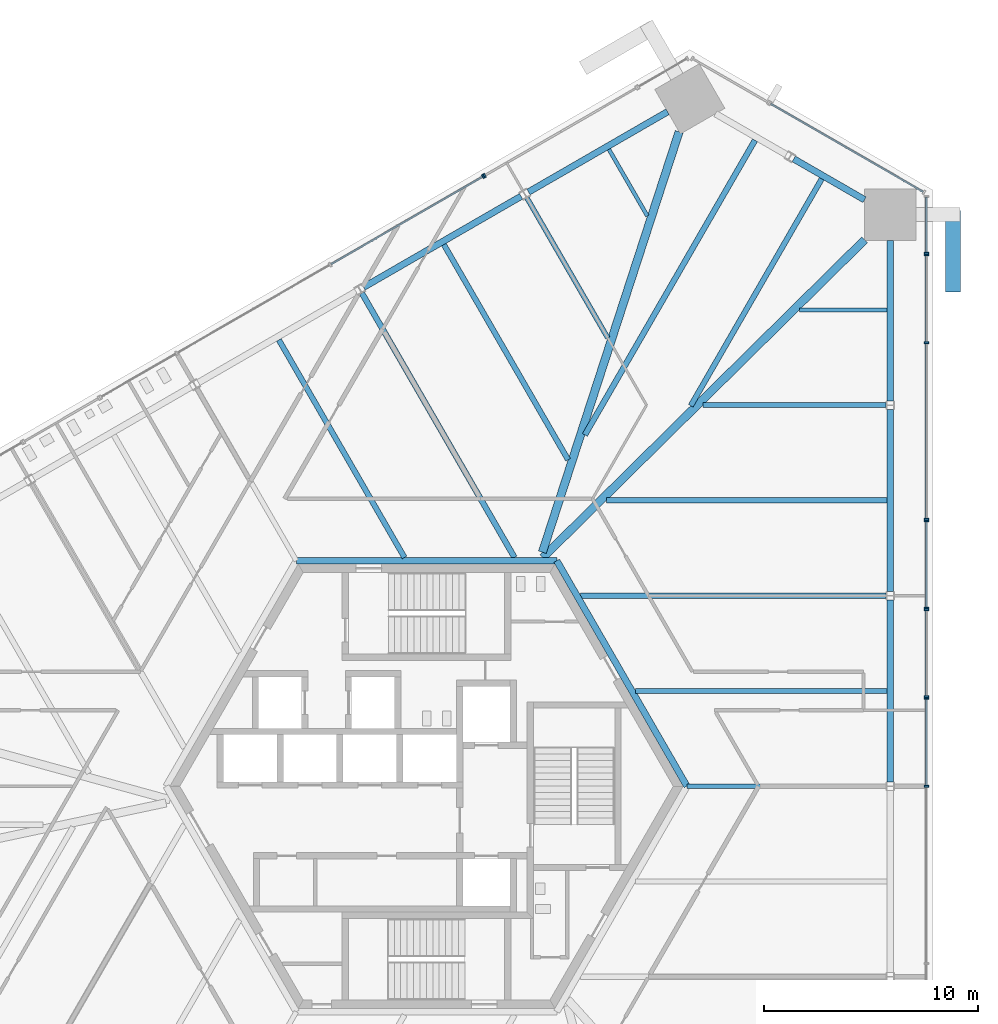
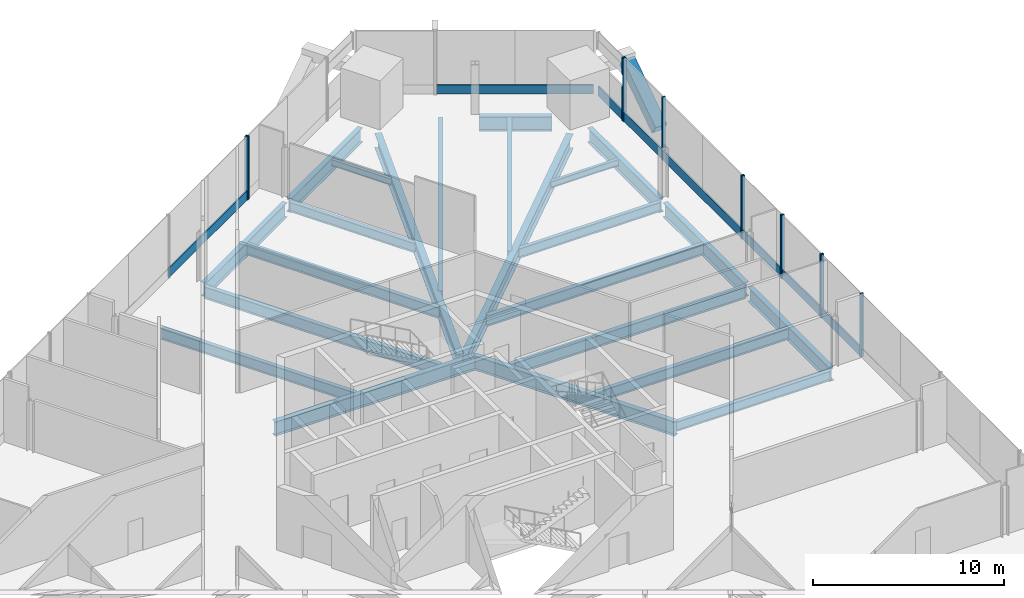
# One storey, part 7 of 22: 23 beams, 22 members, 9 elements without a shape of their own.
"""IFC4 building model written with IfcOpenShell, lengths in metres."""

from ifc_helpers import new_model, si_unit, direction, frame, origin, origin_2d, place, context, subcontext, project, spatial, rectangle, hollow_rectangle, i_section, extrude, source, transform, mapped, material, material_profile, profile_set, type_object, element, aggregate, save


model = new_model("IFC4")

# Units and contexts
model_context = context("Model", 3, precision=1e-05, world=origin(), true_north=direction((0.0, 1.0)))
body_context = subcontext(model_context, "Body", "Model", "MODEL_VIEW")
ifc_project = project(units=[si_unit("LENGTHUNIT", "METRE"), si_unit("AREAUNIT", "SQUARE_METRE"), si_unit("VOLUMEUNIT", "CUBIC_METRE"), si_unit("PLANEANGLEUNIT", "RADIAN"), si_unit("MASSUNIT", "GRAM", prefix="KILO")], contexts=[model_context])

# Site, building, storey
site_placement = place(None, origin())
site = spatial("IfcSite", under=ifc_project, at=site_placement, CompositionType="ELEMENT")
building_placement = place(site_placement, origin())
building = spatial("IfcBuilding", under=site, at=building_placement, Name="Triune Harvest Tower", CompositionType="ELEMENT")
storey_placement = place(building_placement, frame((0.0, 0.0, 50.39990234375)))
storey = spatial("IfcBuildingStorey", under=building, at=storey_placement, Name="L11", CompositionType="ELEMENT", Elevation=50.39990234375)

# Beams
ifc_material_1 = material(Name="Steel ASTM A992 Gr 50", Category="steel")
ifc_material_profile_1 = material_profile(ifc_material_1, i_section(OverallWidth=0.3046875, OverallDepth=0.914306640625, WebThickness=0.0166015625, FlangeThickness=0.02587890625, at=origin_2d()), Name="W36x160")
ifc_profile_set_1 = profile_set([ifc_material_profile_1], Name="Steel ASTM A992 Gr 50")
beam_type_1 = type_object("IfcBeamType", Name="CG-1 Core ring girder W36x160", PredefinedType="BEAM", material=ifc_profile_set_1)
shared_shape_1 = source(origin(), body_context, "Body", "SweptSolid", [
    extrude(i_section(OverallWidth=0.3046875, OverallDepth=0.914306640625, WebThickness=0.0166015625, FlangeThickness=0.02587890625, at=origin_2d()), origin(), (0.0, 0.0, 1.0), 12.176025390625),
])
beam_1_placement = place(storey_placement, frame((12.176025390625, 0.0, -0.656982421875), z_axis=(-0.5000099932, 0.866019634131, 0.0), x_axis=(-0.866019634131, -0.5000099932, 0.0)))
element("IfcBeam", 1, at=beam_1_placement, inside=storey, type_object=beam_type_1, Name="beam/L11/CG1", PredefinedType="BEAM", context=body_context, shape_type="MappedRepresentation", body=[
    mapped(shared_shape_1, transform((0.0, 0.0, 0.0), scale=1.0)),
])
shared_shape_2 = source(origin(), body_context, "Body", "SweptSolid", [
    extrude(i_section(OverallWidth=0.3046875, OverallDepth=0.914306640625, WebThickness=0.0166015625, FlangeThickness=0.02587890625, at=origin_2d()), origin(), (0.0, 0.0, 1.0), 12.17578125),
])
beam_2_placement = place(storey_placement, frame((6.087890625, 10.544677734375, -0.656982421875), z_axis=(-1.0, 0.0, 0.0), x_axis=(0.0, -1.0, 0.0)))
element("IfcBeam", 2, at=beam_2_placement, inside=storey, type_object=beam_type_1, Name="beam/L11/CG2", PredefinedType="BEAM", context=body_context, shape_type="MappedRepresentation", body=[
    mapped(shared_shape_2, transform((0.0, 0.0, 0.0), scale=1.0)),
])
ifc_material_2 = material(Name="Steel ASTM A992 Gr 50", Category="steel")
ifc_material_profile_2 = material_profile(ifc_material_2, i_section(OverallWidth=0.383544921875, OverallDepth=0.9423828125, WebThickness=0.022216796875, FlangeThickness=0.039794921875, at=origin_2d()), Name="W36x232")
ifc_profile_set_2 = profile_set([ifc_material_profile_2], Name="Steel ASTM A992 Gr 50")
beam_type_2 = type_object("IfcBeamType", Name="HG-1 Hip girder W36x232", PredefinedType="BEAM", material=ifc_profile_set_2)
shared_shape_3 = source(origin(), body_context, "Body", "SweptSolid", [
    extrude(i_section(OverallWidth=0.383544921875, OverallDepth=0.9423828125, WebThickness=0.022216796875, FlangeThickness=0.039794921875, at=origin_2d()), origin(), (0.0, 0.0, 1.0), 21.132568359375),
])
beam_3_placement = place(storey_placement, frame((20.4794921875, 25.545166015625, -0.671142578125), z_axis=(-0.711563602244, -0.7026216905, 0.0), x_axis=(0.7026216905, -0.711563602244, 0.0)))
element("IfcBeam", 3, at=beam_3_placement, inside=storey, type_object=beam_type_2, Name="beam/L11/HG2", PredefinedType="BEAM", context=body_context, shape_type="MappedRepresentation", body=[
    mapped(shared_shape_3, transform((0.0, 0.0, 0.0), scale=1.0)),
])
shared_shape_4 = source(origin(), body_context, "Body", "SweptSolid", [
    extrude(i_section(OverallWidth=0.383544921875, OverallDepth=0.9423828125, WebThickness=0.022216796875, FlangeThickness=0.039794921875, at=origin_2d()), origin(), (0.0, 0.0, 1.0), 20.676025390625),
])
beam_4_placement = place(storey_placement, frame((11.809814453125, 30.6044921875, -0.671142578125), z_axis=(-0.309191000288, -0.950999960747, 0.0), x_axis=(0.950999960747, -0.309191000288, 0.0)))
element("IfcBeam", 4, at=beam_4_placement, inside=storey, type_object=beam_type_2, Name="beam/L11/HG3", PredefinedType="BEAM", context=body_context, shape_type="MappedRepresentation", body=[
    mapped(shared_shape_4, transform((0.0, 0.0, 0.0), scale=1.0)),
])
ifc_material_3 = material(Name="Steel ASTM A992 Gr 50", Category="steel")
ifc_material_profile_3 = material_profile(ifc_material_3, i_section(OverallWidth=0.2666015625, OverallDepth=0.7568359375, WebThickness=0.013916015625, FlangeThickness=0.019287109375, at=origin_2d()), Name="W30x108")
ifc_profile_set_3 = profile_set([ifc_material_profile_3], Name="Steel ASTM A992 Gr 50")
beam_type_3 = type_object("IfcBeamType", Name="JT-5 Floor joist W30x108", PredefinedType="JOIST", material=ifc_profile_set_3)
shared_shape_5 = source(origin(), body_context, "Body", "SweptSolid", [
    extrude(i_section(OverallWidth=0.2666015625, OverallDepth=0.7568359375, WebThickness=0.013916015625, FlangeThickness=0.019287109375, at=origin_2d()), origin(), (0.0, 0.0, 1.0), 14.2685546875),
])
for number, where, z_axis, x_axis, name in (
    (5, (21.476318359375, 8.909912109375, -0.578369140625), (-1.0, 0.0, 0.0), (0.0, -1.0, 0.0), "beam/L11/JT8"),
    (6, (-3.02197265625, 23.053955078125, -0.578369140625), (0.499999916269, -0.866025452127, 0.0), (0.866025452127, 0.499999916269, 0.0), "beam/L11/JT17"),
):
    element("IfcBeam", number, at=place(storey_placement, frame(where, z_axis=z_axis, x_axis=x_axis)), inside=storey, type_object=beam_type_3, Name=name, PredefinedType="JOIST", context=body_context, shape_type="MappedRepresentation", body=[
        mapped(shared_shape_5, transform((0.0, 0.0, 0.0), scale=1.0)),
    ])
ifc_material_4 = material(Name="Steel ASTM A992 Gr 50", Category="steel")
ifc_material_profile_4 = material_profile(ifc_material_4, i_section(OverallWidth=0.22900390625, OverallDepth=0.612060546875, WebThickness=0.011962890625, FlangeThickness=0.01953125, at=origin_2d()), Name="W24x84")
ifc_profile_set_4 = profile_set([ifc_material_profile_4], Name="Steel ASTM A992 Gr 50")
beam_type_4 = type_object("IfcBeamType", Name="JT-3 Floor joist W24x84", PredefinedType="JOIST", material=ifc_profile_set_4)
shared_shape_6 = source(origin(), body_context, "Body", "SweptSolid", [
    extrude(i_section(OverallWidth=0.22900390625, OverallDepth=0.612060546875, WebThickness=0.011962890625, FlangeThickness=0.01953125, at=origin_2d()), origin(), (0.0, 0.0, 1.0), 9.30029296875),
])
beam_5_placement = place(storey_placement, frame((21.476318359375, 0.0, -0.506103515625), z_axis=(-1.0, 0.0, 0.0), x_axis=(0.0, -1.0, 0.0)))
element("IfcBeam", 7, at=beam_5_placement, inside=storey, type_object=beam_type_4, Name="beam/L11/JT6", PredefinedType="JOIST", context=body_context, shape_type="MappedRepresentation", body=[
    mapped(shared_shape_6, transform((0.0, 0.0, 0.0), scale=1.0)),
])
shared_shape_7 = source(origin(), body_context, "Body", "SweptSolid", [
    extrude(i_section(OverallWidth=0.22900390625, OverallDepth=0.612060546875, WebThickness=0.011962890625, FlangeThickness=0.01953125, at=origin_2d()), origin(), (0.0, 0.0, 1.0), 8.54736328125),
])
beam_6_placement = place(storey_placement, frame((21.476318359375, 17.820068359375, -0.506103515625), z_axis=(-1.0, 0.0, 0.0), x_axis=(0.0, -1.0, 0.0)))
element("IfcBeam", 8, at=beam_6_placement, inside=storey, type_object=beam_type_4, Name="beam/L11/JT10", PredefinedType="JOIST", context=body_context, shape_type="MappedRepresentation", body=[
    mapped(shared_shape_7, transform((0.0, 0.0, 0.0), scale=1.0)),
])
shared_shape_8 = source(origin(), body_context, "Body", "SweptSolid", [
    extrude(i_section(OverallWidth=0.22900390625, OverallDepth=0.612060546875, WebThickness=0.011962890625, FlangeThickness=0.01953125, at=origin_2d()), origin(), (0.0, 0.0, 1.0), 7.55859375),
])
beam_7_placement = place(storey_placement, frame((4.6943359375, 27.509033203125, -0.506103515625), z_axis=(0.500002049001, -0.86602422079, 0.0), x_axis=(0.86602422079, 0.500002049001, 0.0)))
element("IfcBeam", 9, at=beam_7_placement, inside=storey, type_object=beam_type_4, Name="beam/L11/JT15", PredefinedType="JOIST", context=body_context, shape_type="MappedRepresentation", body=[
    mapped(shared_shape_8, transform((0.0, 0.0, 0.0), scale=1.0)),
])
ifc_material_5 = material(Name="Steel ASTM A992 Gr 50", Category="steel")
ifc_material_profile_5 = material_profile(ifc_material_5, i_section(OverallWidth=0.3046875, OverallDepth=0.914306640625, WebThickness=0.0166015625, FlangeThickness=0.02587890625, at=origin_2d()), Name="W36x160")
ifc_profile_set_5 = profile_set([ifc_material_profile_5], Name="Steel ASTM A992 Gr 50")
beam_type_5 = type_object("IfcBeamType", Name="SB-1 Spandrel beam W36x160", PredefinedType="SPANDREL", material=ifc_profile_set_5)
shared_shape_9 = source(origin(), body_context, "Body", "SweptSolid", [
    extrude(i_section(OverallWidth=0.3046875, OverallDepth=0.914306640625, WebThickness=0.0166015625, FlangeThickness=0.02587890625, at=origin_2d()), origin(), (0.0, 0.0, 1.0), 7.508056640625),
])
beam_8_placement = place(storey_placement, frame((21.679443359375, 18.02197265625, -0.656982421875), z_axis=(0.0, 1.0, 0.0), x_axis=(-1.0, 0.0, 0.0)))
element("IfcBeam", 10, at=beam_8_placement, inside=storey, type_object=beam_type_5, Name="beam/L11/SB6", PredefinedType="SPANDREL", context=body_context, shape_type="MappedRepresentation", body=[
    mapped(shared_shape_9, transform((0.0, 0.0, 0.0), scale=1.0)),
])
shared_shape_10 = source(origin(), body_context, "Body", "SweptSolid", [
    extrude(i_section(OverallWidth=0.3046875, OverallDepth=0.914306640625, WebThickness=0.0166015625, FlangeThickness=0.02587890625, at=origin_2d()), origin(), (0.0, 0.0, 1.0), 8.50634765625),
])
beam_9_placement = place(storey_placement, frame((21.679443359375, 9.11181640625, -0.656982421875), z_axis=(0.0, 1.0, 0.0), x_axis=(-1.0, 0.0, 0.0)))
element("IfcBeam", 11, at=beam_9_placement, inside=storey, type_object=beam_type_5, Name="beam/L11/SB5", PredefinedType="SPANDREL", context=body_context, shape_type="MappedRepresentation", body=[
    mapped(shared_shape_10, transform((0.0, 0.0, 0.0), scale=1.0)),
])
shared_shape_11 = source(origin(), body_context, "Body", "SweptSolid", [
    extrude(i_section(OverallWidth=0.3046875, OverallDepth=0.914306640625, WebThickness=0.0166015625, FlangeThickness=0.02587890625, at=origin_2d()), origin(), (0.0, 0.0, 1.0), 8.506103515625),
])
for number, where, z_axis, x_axis, name in (
    (12, (21.679443359375, 0.201904296875, -0.656982421875), (0.0, 1.0, 0.0), (-1.0, 0.0, 0.0), "beam/L11/SB4"),
    (13, (4.41796875, 27.583984375, -0.656982421875), (-0.866030246746, -0.49999161165, 0.0), (0.49999161165, -0.866030246746, 0.0), "beam/L11/SB10"),
):
    element("IfcBeam", number, at=place(storey_placement, frame(where, z_axis=z_axis, x_axis=x_axis)), inside=storey, type_object=beam_type_5, Name=name, PredefinedType="SPANDREL", context=body_context, shape_type="MappedRepresentation", body=[
        mapped(shared_shape_11, transform((0.0, 0.0, 0.0), scale=1.0)),
    ])
shared_shape_12 = source(origin(), body_context, "Body", "SweptSolid", [
    extrude(i_section(OverallWidth=0.3046875, OverallDepth=0.914306640625, WebThickness=0.0166015625, FlangeThickness=0.02587890625, at=origin_2d()), origin(), (0.0, 0.0, 1.0), 3.822265625),
])
beam_10_placement = place(storey_placement, frame((20.4794921875, 27.4228515625, -0.656982421875), z_axis=(-0.866033487859, 0.499985997711, 0.0), x_axis=(-0.499985997711, -0.866033487859, 0.0)))
element("IfcBeam", 14, at=beam_10_placement, inside=storey, type_object=beam_type_5, Name="beam/L11/SB7", PredefinedType="SPANDREL", context=body_context, shape_type="MappedRepresentation", body=[
    mapped(shared_shape_12, transform((0.0, 0.0, 0.0), scale=1.0)),
])
shared_shape_13 = source(origin(), body_context, "Body", "SweptSolid", [
    extrude(i_section(OverallWidth=0.3046875, OverallDepth=0.914306640625, WebThickness=0.0166015625, FlangeThickness=0.02587890625, at=origin_2d()), origin(), (0.0, 0.0, 1.0), 7.50830078125),
])
beam_11_placement = place(storey_placement, frame((11.27001953125, 31.5400390625, -0.656982421875), z_axis=(-0.866027474485, -0.499996413425, 0.0), x_axis=(0.499996413425, -0.866027474485, 0.0)))
element("IfcBeam", 15, at=beam_11_placement, inside=storey, type_object=beam_type_5, Name="beam/L11/SB9", PredefinedType="SPANDREL", context=body_context, shape_type="MappedRepresentation", body=[
    mapped(shared_shape_13, transform((0.0, 0.0, 0.0), scale=1.0)),
])
ifc_material_6 = material(Name="Steel ASTM A992 Gr 50", Category="steel")
ifc_material_profile_6 = material_profile(ifc_material_6, i_section(OverallWidth=0.180908203125, OverallDepth=0.41650390625, WebThickness=0.010986328125, FlangeThickness=0.01806640625, at=origin_2d()), Name="W16x57")
ifc_profile_set_6 = profile_set([ifc_material_profile_6], Name="Steel ASTM A992 Gr 50")
beam_type_6 = type_object("IfcBeamType", Name="JT-1 Floor joist W16x57", PredefinedType="JOIST", material=ifc_profile_set_6)
shared_shape_14 = source(origin(), body_context, "Body", "SweptSolid", [
    extrude(i_section(OverallWidth=0.180908203125, OverallDepth=0.41650390625, WebThickness=0.010986328125, FlangeThickness=0.01806640625, at=origin_2d()), origin(), (0.0, 0.0, 1.0), 3.599365234375),
])
beam_12_placement = place(storey_placement, frame((8.527099609375, 29.780517578125, -0.408203125), z_axis=(0.50001992892, -0.866013897511, 0.0), x_axis=(0.866013897511, 0.50001992892, 0.0)))
element("IfcBeam", 16, at=beam_12_placement, inside=storey, type_object=beam_type_6, Name="beam/L11/JT14", PredefinedType="JOIST", context=body_context, shape_type="MappedRepresentation", body=[
    mapped(shared_shape_14, transform((0.0, 0.0, 0.0), scale=1.0)),
])
ifc_material_7 = material(Name="Steel ASTM A992 Gr 50", Category="steel")
ifc_material_profile_7 = material_profile(ifc_material_7, i_section(OverallWidth=0.253662109375, OverallDepth=0.683349609375, WebThickness=0.012451171875, FlangeThickness=0.01904296875, at=origin_2d()), Name="W27x94")
ifc_profile_set_7 = profile_set([ifc_material_profile_7], Name="Steel ASTM A992 Gr 50")
beam_type_7 = type_object("IfcBeamType", Name="JT-4 Floor joist W27x94", PredefinedType="JOIST", material=ifc_profile_set_7)
shared_shape_15 = source(origin(), body_context, "Body", "SweptSolid", [
    extrude(i_section(OverallWidth=0.253662109375, OverallDepth=0.683349609375, WebThickness=0.012451171875, FlangeThickness=0.01904296875, at=origin_2d()), origin(), (0.0, 0.0, 1.0), 11.747314453125),
])
beam_13_placement = place(storey_placement, frame((21.527099609375, 4.455078125, -0.54150390625), z_axis=(-1.0, 0.0, 0.0), x_axis=(0.0, -1.0, 0.0)))
element("IfcBeam", 17, at=beam_13_placement, inside=storey, type_object=beam_type_7, Name="beam/L11/JT7", PredefinedType="JOIST", context=body_context, shape_type="MappedRepresentation", body=[
    mapped(shared_shape_15, transform((0.0, 0.0, 0.0), scale=1.0)),
])
shared_shape_16 = source(origin(), body_context, "Body", "SweptSolid", [
    extrude(i_section(OverallWidth=0.253662109375, OverallDepth=0.683349609375, WebThickness=0.012451171875, FlangeThickness=0.01904296875, at=origin_2d()), origin(), (0.0, 0.0, 1.0), 13.110107421875),
])
beam_14_placement = place(storey_placement, frame((21.527099609375, 13.364990234375, -0.54150390625), z_axis=(-1.0, 0.0, 0.0), x_axis=(0.0, -1.0, 0.0)))
element("IfcBeam", 18, at=beam_14_placement, inside=storey, type_object=beam_type_7, Name="beam/L11/JT9", PredefinedType="JOIST", context=body_context, shape_type="MappedRepresentation", body=[
    mapped(shared_shape_16, transform((0.0, 0.0, 0.0), scale=1.0)),
])
shared_shape_17 = source(origin(), body_context, "Body", "SweptSolid", [
    extrude(i_section(OverallWidth=0.180908203125, OverallDepth=0.41650390625, WebThickness=0.010986328125, FlangeThickness=0.01806640625, at=origin_2d()), origin(), (0.0, 0.0, 1.0), 4.08642578125),
])
beam_15_placement = place(storey_placement, frame((21.527099609375, 22.27490234375, -0.408203125), z_axis=(-1.0, 0.0, 0.0), x_axis=(0.0, -1.0, 0.0)))
element("IfcBeam", 19, at=beam_15_placement, inside=storey, type_object=beam_type_6, Name="beam/L11/JT11", PredefinedType="JOIST", context=body_context, shape_type="MappedRepresentation", body=[
    mapped(shared_shape_17, transform((0.0, 0.0, 0.0), scale=1.0)),
])
shared_shape_18 = source(origin(), body_context, "Body", "SweptSolid", [
    extrude(i_section(OverallWidth=0.253662109375, OverallDepth=0.683349609375, WebThickness=0.012451171875, FlangeThickness=0.01904296875, at=origin_2d()), origin(), (0.0, 0.0, 1.0), 12.2509765625),
])
beam_16_placement = place(storey_placement, frame((18.479736328125, 28.4013671875, -0.54150390625), z_axis=(-0.500001335473, -0.866024632748, 0.0), x_axis=(0.866024632748, -0.500001335473, 0.0)))
element("IfcBeam", 20, at=beam_16_placement, inside=storey, type_object=beam_type_7, Name="beam/L11/JT12", PredefinedType="JOIST", context=body_context, shape_type="MappedRepresentation", body=[
    mapped(shared_shape_18, transform((0.0, 0.0, 0.0), scale=1.0)),
])
shared_shape_19 = source(origin(), body_context, "Body", "SweptSolid", [
    extrude(i_section(OverallWidth=0.2666015625, OverallDepth=0.7568359375, WebThickness=0.013916015625, FlangeThickness=0.019287109375, at=origin_2d()), origin(), (0.0, 0.0, 1.0), 15.90771484375),
])
beam_17_placement = place(storey_placement, frame((15.3564453125, 30.20458984375, -0.578369140625), z_axis=(-0.500003211559, -0.866023549582, 0.0), x_axis=(0.866023549582, -0.500003211559, 0.0)))
element("IfcBeam", 21, at=beam_17_placement, inside=storey, type_object=beam_type_3, Name="beam/L11/JT13", PredefinedType="JOIST", context=body_context, shape_type="MappedRepresentation", body=[
    mapped(shared_shape_19, transform((0.0, 0.0, 0.0), scale=1.0)),
])
shared_shape_20 = source(origin(), body_context, "Body", "SweptSolid", [
    extrude(i_section(OverallWidth=0.253662109375, OverallDepth=0.683349609375, WebThickness=0.012451171875, FlangeThickness=0.01904296875, at=origin_2d()), origin(), (0.0, 0.0, 1.0), 11.618896484375),
])
beam_18_placement = place(storey_placement, frame((0.810791015625, 25.325439453125, -0.54150390625), z_axis=(0.500008015982, -0.866020775706, 0.0), x_axis=(0.866020775706, 0.500008015982, 0.0)))
element("IfcBeam", 22, at=beam_18_placement, inside=storey, type_object=beam_type_7, Name="beam/L11/JT16", PredefinedType="JOIST", context=body_context, shape_type="MappedRepresentation", body=[
    mapped(shared_shape_20, transform((0.0, 0.0, 0.0), scale=1.0)),
])
shared_shape_21 = source(origin(), body_context, "Body", "SweptSolid", [
    extrude(i_section(OverallWidth=0.253662109375, OverallDepth=0.683349609375, WebThickness=0.012451171875, FlangeThickness=0.01904296875, at=origin_2d()), origin(), (0.0, 0.0, 1.0), 11.74755859375),
])
beam_19_placement = place(storey_placement, frame((-6.905517578125, 20.87060546875, -0.54150390625), z_axis=(0.500003693016, -0.86602327161, 0.0), x_axis=(0.86602327161, 0.500003693016, 0.0)))
element("IfcBeam", 23, at=beam_19_placement, inside=storey, type_object=beam_type_7, Name="beam/L11/JT18", PredefinedType="JOIST", context=body_context, shape_type="MappedRepresentation", body=[
    mapped(shared_shape_21, transform((0.0, 0.0, 0.0), scale=1.0)),
])

# Member
ifc_material_8 = material(Name="Steel ASTM A572 Gr 50", Category="steel")
ifc_material_profile_8 = material_profile(ifc_material_8, hollow_rectangle(XDim=0.699951171875, YDim=0.699951171875, WallThickness=0.0400390625, at=origin_2d()), Name="Box 700x700x40")
ifc_profile_set_8 = profile_set([ifc_material_profile_8], Name="Steel ASTM A572 Gr 50")
member_type_1 = type_object("IfcMemberType", Name="BR-1 Brace Box 700x700x40", PredefinedType="BRACE", material=ifc_profile_set_8)
shared_shape_22 = source(origin(), body_context, "Body", "SweptSolid", [
    extrude(hollow_rectangle(XDim=0.699951171875, YDim=0.699951171875, WallThickness=0.0400390625, at=origin_2d()), origin(), (0.0, 0.0, 1.0), 4.109375),
])
member_1_placement = place(storey_placement, frame((24.621337890625, 23.3154296875, 0.0), z_axis=(0.0, 0.830924343652, 0.556385419584), x_axis=(-1.0, 0.0, 0.0)))
element("IfcMember", 24, at=member_1_placement, inside=storey, type_object=member_type_1, Name="brace/B1-F1/d1/9", PredefinedType="BRACE", context=body_context, shape_type="MappedRepresentation", body=[
    mapped(shared_shape_22, transform((0.0, 0.0, 0.0), scale=1.0)),
])

# Curtain wall, member
ifc_material_9 = material(Name="Aluminium bronze anodised", Category="aluminium")
curtain_wall_type_1 = type_object("IfcCurtainWallType", Name="CW-3 Farm floor curtain wall", PredefinedType="NOTDEFINED", material=ifc_material_9)
curtain_wall_1_placement = place(storey_placement, origin())
curtain_wall_1 = element("IfcCurtainWall", 25, at=curtain_wall_1_placement, inside=storey, type_object=curtain_wall_type_1, Name="CW-3 B1-F2 L11 run 1")
ifc_material_10 = material(Name="Aluminium bronze anodised", Category="aluminium")
ifc_material_profile_9 = material_profile(ifc_material_10, rectangle(XDim=0.090087890625, YDim=0.60009765625, at=origin_2d()), Name="TR-3 transom 90 x 600")
ifc_profile_set_9 = profile_set([ifc_material_profile_9], Name="Aluminium bronze anodised")
member_type_2 = type_object("IfcMemberType", Name="TR-3 transom 90 x 600", PredefinedType="USERDEFINED", material=ifc_profile_set_9)
shared_shape_23 = source(origin(), body_context, "Body", "SweptSolid", [
    extrude(rectangle(XDim=0.090087890625, YDim=0.60009765625, at=origin_2d()), origin(), (0.0, 0.0, 1.0), 8.23583984375),
])
member_2_placement = place(storey_placement, frame((23.22412109375, 27.791748046875, 0.300048828125), z_axis=(-0.866021691054, 0.500006430582, 0.0), x_axis=(-0.500006430582, -0.866021691054, 0.0)))
member_2 = element("IfcMember", 26, at=member_2_placement, type_object=member_type_2, Name="CW-3 transom B1-F2 1.1", ObjectType="TRANSOM", PredefinedType="USERDEFINED", context=body_context, shape_type="MappedRepresentation", body=[
    mapped(shared_shape_23, transform((0.0, 0.0, 0.0), scale=1.0)),
])
aggregate(curtain_wall_1, [member_2])

# Curtain wall, members
ifc_material_11 = material(Name="Aluminium bronze anodised", Category="aluminium")
curtain_wall_type_2 = type_object("IfcCurtainWallType", Name="CW-8 Farm floor curtain wall with insulated spandrel infill", PredefinedType="NOTDEFINED", material=ifc_material_11)
curtain_wall_2_placement = place(storey_placement, origin())
curtain_wall_2 = element("IfcCurtainWall", 27, at=curtain_wall_2_placement, inside=storey, type_object=curtain_wall_type_2, Name="CW-8 B1-F1 L11 run 301")
ifc_material_12 = material(Name="Aluminium bronze anodised", Category="aluminium")
ifc_material_profile_10 = material_profile(ifc_material_12, rectangle(XDim=0.199951171875, YDim=0.080078125, at=origin_2d()), Name="MU-3 mullion 80 x 200")
ifc_profile_set_10 = profile_set([ifc_material_profile_10], Name="Aluminium bronze anodised")
member_type_3 = type_object("IfcMemberType", Name="MU-3 mullion 80 x 200", PredefinedType="MULLION", material=ifc_profile_set_10)
shared_shape_24 = source(origin(), body_context, "Body", "SweptSolid", [
    extrude(rectangle(XDim=0.199951171875, YDim=0.080078125, at=origin_2d()), origin(), (0.0, 0.0, 1.0), 2.1650390625),
])
member_3_placement = place(storey_placement, frame((23.371337890625, 24.92138671875, 0.0), z_axis=(0.0, 0.0, 1.0), x_axis=(-1.0, 0.0, 0.0)))
member_3 = element("IfcMember", 28, at=member_3_placement, type_object=member_type_3, Name="CW-8 mullion B1-F1 301.1", PredefinedType="MULLION", context=body_context, shape_type="MappedRepresentation", body=[
    mapped(shared_shape_24, transform((0.0, 0.0, 0.0), scale=1.0)),
])
shared_shape_25 = source(origin(), body_context, "Body", "SweptSolid", [
    extrude(rectangle(XDim=0.090087890625, YDim=0.60009765625, at=origin_2d()), origin(), (0.0, 0.0, 1.0), 2.575439453125),
])
member_4_placement = place(storey_placement, frame((23.371337890625, 24.96142578125, 0.300048828125), z_axis=(0.0, 1.0, 0.0), x_axis=(-1.0, 0.0, 0.0)))
member_4 = element("IfcMember", 29, at=member_4_placement, type_object=member_type_2, Name="CW-8 transom B1-F1 301.1", ObjectType="TRANSOM", PredefinedType="USERDEFINED", context=body_context, shape_type="MappedRepresentation", body=[
    mapped(shared_shape_25, transform((0.0, 0.0, 0.0), scale=1.0)),
])
aggregate(curtain_wall_2, [member_3, member_4])

# Curtain wall, member
curtain_wall_3_placement = place(storey_placement, origin())
curtain_wall_3 = element("IfcCurtainWall", 30, at=curtain_wall_3_placement, inside=storey, type_object=curtain_wall_type_1, Name="CW-3 B1-F1 L11 run 401")
shared_shape_26 = source(origin(), body_context, "Body", "SweptSolid", [
    extrude(rectangle(XDim=0.199951171875, YDim=0.080078125, at=origin_2d()), origin(), (0.0, 0.0, 1.0), 1.114990234375),
])
member_5_placement = place(storey_placement, frame((23.371337890625, 24.92138671875, 2.93505859375), z_axis=(0.0, 0.0, 1.0), x_axis=(-1.0, 0.0, 0.0)))
member_5 = element("IfcMember", 31, at=member_5_placement, type_object=member_type_3, Name="CW-3 mullion B1-F1 401.1", PredefinedType="MULLION", context=body_context, shape_type="MappedRepresentation", body=[
    mapped(shared_shape_26, transform((0.0, 0.0, 0.0), scale=1.0)),
])
aggregate(curtain_wall_3, [member_5])

# Curtain wall, members
curtain_wall_4_placement = place(storey_placement, origin())
curtain_wall_4 = element("IfcCurtainWall", 32, at=curtain_wall_4_placement, inside=storey, type_object=curtain_wall_type_1, Name="CW-3 B1-F1 L11 run 1201")
shared_shape_27 = source(origin(), body_context, "Body", "SweptSolid", [
    extrude(rectangle(XDim=0.199951171875, YDim=0.080078125, at=origin_2d()), origin(), (0.0, 0.0, 1.0), 4.050048828125),
])
member_6_placement = place(storey_placement, frame((23.371337890625, 0.0, 0.0), z_axis=(0.0, 0.0, 1.0), x_axis=(-1.0, 0.0, 0.0)))
member_6 = element("IfcMember", 33, at=member_6_placement, type_object=member_type_3, Name="CW-3 mullion B1-F1 1201.5", PredefinedType="MULLION", context=body_context, shape_type="MappedRepresentation", body=[
    mapped(shared_shape_27, transform((0.0, 0.0, 0.0), scale=1.0)),
])
member_7_placement = place(storey_placement, frame((23.371337890625, 4.10693359375, 0.0), z_axis=(0.0, 0.0, 1.0), x_axis=(-1.0, 0.0, 0.0)))
member_7 = element("IfcMember", 34, at=member_7_placement, type_object=member_type_3, Name="CW-3 mullion B1-F1 1201.6", PredefinedType="MULLION", context=body_context, shape_type="MappedRepresentation", body=[
    mapped(shared_shape_27, transform((0.0, 0.0, 0.0), scale=1.0)),
])

curtain_wall_5_placement = place(storey_placement, origin())
curtain_wall_5 = element("IfcCurtainWall", 35, at=curtain_wall_5_placement, inside=storey, type_object=curtain_wall_type_2, Name="CW-8 B1-F1 L11 run 2201")
member_8_placement = place(storey_placement, frame((23.371337890625, 4.18701171875, 0.0), z_axis=(0.0, 0.0, 1.0), x_axis=(-1.0, 0.0, 0.0)))
member_8 = element("IfcMember", 36, at=member_8_placement, type_object=member_type_3, Name="CW-8 mullion B1-F1 2201.1", PredefinedType="MULLION", context=body_context, shape_type="MappedRepresentation", body=[
    mapped(shared_shape_27, transform((0.0, 0.0, 0.0), scale=1.0)),
])
member_9_placement = place(storey_placement, frame((23.371337890625, 8.25390625, 0.0), z_axis=(0.0, 0.0, 1.0), x_axis=(-1.0, 0.0, 0.0)))
member_9 = element("IfcMember", 37, at=member_9_placement, type_object=member_type_3, Name="CW-8 mullion B1-F1 2201.2", PredefinedType="MULLION", context=body_context, shape_type="MappedRepresentation", body=[
    mapped(shared_shape_27, transform((0.0, 0.0, 0.0), scale=1.0)),
])

curtain_wall_6_placement = place(storey_placement, origin())
curtain_wall_6 = element("IfcCurtainWall", 38, at=curtain_wall_6_placement, inside=storey, type_object=curtain_wall_type_1, Name="CW-3 B1-F1 L11 run 3201")
member_10_placement = place(storey_placement, frame((23.371337890625, 8.333740234375, 0.0), z_axis=(0.0, 0.0, 1.0), x_axis=(-1.0, 0.0, 0.0)))
member_10 = element("IfcMember", 39, at=member_10_placement, type_object=member_type_3, Name="CW-3 mullion B1-F1 3201.1", PredefinedType="MULLION", context=body_context, shape_type="MappedRepresentation", body=[
    mapped(shared_shape_27, transform((0.0, 0.0, 0.0), scale=1.0)),
])
member_11_placement = place(storey_placement, frame((23.371337890625, 12.400634765625, 0.0), z_axis=(0.0, 0.0, 1.0), x_axis=(-1.0, 0.0, 0.0)))
member_11 = element("IfcMember", 40, at=member_11_placement, type_object=member_type_3, Name="CW-3 mullion B1-F1 3201.2", PredefinedType="MULLION", context=body_context, shape_type="MappedRepresentation", body=[
    mapped(shared_shape_27, transform((0.0, 0.0, 0.0), scale=1.0)),
])

curtain_wall_7_placement = place(storey_placement, origin())
curtain_wall_7 = element("IfcCurtainWall", 41, at=curtain_wall_7_placement, inside=storey, type_object=curtain_wall_type_2, Name="CW-8 B1-F1 L11 run 4201")
member_12_placement = place(storey_placement, frame((23.371337890625, 12.480712890625, 0.0), z_axis=(0.0, 0.0, 1.0), x_axis=(-1.0, 0.0, 0.0)))
member_12 = element("IfcMember", 42, at=member_12_placement, type_object=member_type_3, Name="CW-8 mullion B1-F1 4201.1", PredefinedType="MULLION", context=body_context, shape_type="MappedRepresentation", body=[
    mapped(shared_shape_27, transform((0.0, 0.0, 0.0), scale=1.0)),
])
member_13_placement = place(storey_placement, frame((23.371337890625, 20.734619140625, 0.0), z_axis=(0.0, 0.0, 1.0), x_axis=(-1.0, 0.0, 0.0)))
member_13 = element("IfcMember", 43, at=member_13_placement, type_object=member_type_3, Name="CW-8 mullion B1-F1 4201.3", PredefinedType="MULLION", context=body_context, shape_type="MappedRepresentation", body=[
    mapped(shared_shape_27, transform((0.0, 0.0, 0.0), scale=1.0)),
])
member_14_placement = place(storey_placement, frame((23.371337890625, 24.84130859375, 0.0), z_axis=(0.0, 0.0, 1.0), x_axis=(-1.0, 0.0, 0.0)))
member_14 = element("IfcMember", 44, at=member_14_placement, type_object=member_type_3, Name="CW-8 mullion B1-F1 4201.4", PredefinedType="MULLION", context=body_context, shape_type="MappedRepresentation", body=[
    mapped(shared_shape_27, transform((0.0, 0.0, 0.0), scale=1.0)),
])

# Curtain wall, member
curtain_wall_8_placement = place(storey_placement, origin())
curtain_wall_8 = element("IfcCurtainWall", 45, at=curtain_wall_8_placement, inside=storey, type_object=curtain_wall_type_2, Name="CW-8 B1-F3 L11 run 201")
member_15_placement = place(storey_placement, frame((2.71435546875, 28.553955078125, 0.0), z_axis=(0.0, 0.0, 1.0), x_axis=(0.50000216637, -0.866024153026, 0.0)))
member_15 = element("IfcMember", 46, at=member_15_placement, type_object=member_type_3, Name="CW-8 mullion B1-F3 201.3", PredefinedType="MULLION", context=body_context, shape_type="MappedRepresentation", body=[
    mapped(shared_shape_27, transform((0.0, 0.0, 0.0), scale=1.0)),
])
aggregate(curtain_wall_8, [member_15])

curtain_wall_9_placement = place(storey_placement, origin())
curtain_wall_9 = element("IfcCurtainWall", 47, at=curtain_wall_9_placement, inside=storey, type_object=curtain_wall_type_1, Name="CW-3 B1-F3 L11 run 1201")
member_16_placement = place(storey_placement, frame((2.64501953125, 28.513916015625, 0.0), z_axis=(0.0, 0.0, 1.0), x_axis=(0.499998269408, -0.86602640294, 0.0)))
member_16 = element("IfcMember", 48, at=member_16_placement, type_object=member_type_3, Name="CW-3 mullion B1-F3 1201.1", PredefinedType="MULLION", context=body_context, shape_type="MappedRepresentation", body=[
    mapped(shared_shape_27, transform((0.0, 0.0, 0.0), scale=1.0)),
])

# Member
shared_shape_28 = source(origin(), body_context, "Body", "SweptSolid", [
    extrude(rectangle(XDim=0.090087890625, YDim=0.60009765625, at=origin_2d()), origin(), (0.0, 0.0, 1.0), 8.173828125),
])
member_17_placement = place(storey_placement, frame((23.371337890625, 12.520751953125, 0.300048828125), z_axis=(0.0, 1.0, 0.0), x_axis=(-1.0, 0.0, 0.0)))
member_17 = element("IfcMember", 49, at=member_17_placement, type_object=member_type_2, Name="CW-8 transom B1-F1 4201.1", ObjectType="TRANSOM", PredefinedType="USERDEFINED", context=body_context, shape_type="MappedRepresentation", body=[
    mapped(shared_shape_28, transform((0.0, 0.0, 0.0), scale=1.0)),
])

member_18_placement = place(storey_placement, frame((2.6103515625, 28.493896484375, 0.300048828125), z_axis=(-0.866041842521, -0.499971526193, 0.0), x_axis=(0.499971526193, -0.866041842521, 0.0)))
member_18 = element("IfcMember", 50, at=member_18_placement, type_object=member_type_2, Name="CW-3 transom B1-F3 1201.1", ObjectType="TRANSOM", PredefinedType="USERDEFINED", context=body_context, shape_type="MappedRepresentation", body=[
    mapped(shared_shape_28, transform((0.0, 0.0, 0.0), scale=1.0)),
])

aggregate(curtain_wall_9, [member_16, member_18])

shared_shape_29 = source(origin(), body_context, "Body", "SweptSolid", [
    extrude(rectangle(XDim=0.090087890625, YDim=0.60009765625, at=origin_2d()), origin(), (0.0, 0.0, 1.0), 4.02685546875),
])
member_19_placement = place(storey_placement, frame((23.371337890625, 0.0400390625, 0.300048828125), z_axis=(0.0, 1.0, 0.0), x_axis=(-1.0, 0.0, 0.0)))
member_19 = element("IfcMember", 51, at=member_19_placement, type_object=member_type_2, Name="CW-3 transom B1-F1 1201.3", ObjectType="TRANSOM", PredefinedType="USERDEFINED", context=body_context, shape_type="MappedRepresentation", body=[
    mapped(shared_shape_29, transform((0.0, 0.0, 0.0), scale=1.0)),
])

aggregate(curtain_wall_4, [member_6, member_7, member_19])

shared_shape_30 = source(origin(), body_context, "Body", "SweptSolid", [
    extrude(rectangle(XDim=0.090087890625, YDim=0.60009765625, at=origin_2d()), origin(), (0.0, 0.0, 1.0), 3.987060546875),
])
member_20_placement = place(storey_placement, frame((23.371337890625, 4.226806640625, 0.300048828125), z_axis=(0.0, 1.0, 0.0), x_axis=(-1.0, 0.0, 0.0)))
member_20 = element("IfcMember", 52, at=member_20_placement, type_object=member_type_2, Name="CW-8 transom B1-F1 2201.1", ObjectType="TRANSOM", PredefinedType="USERDEFINED", context=body_context, shape_type="MappedRepresentation", body=[
    mapped(shared_shape_30, transform((0.0, 0.0, 0.0), scale=1.0)),
])

aggregate(curtain_wall_5, [member_8, member_9, member_20])

shared_shape_31 = source(origin(), body_context, "Body", "SweptSolid", [
    extrude(rectangle(XDim=0.090087890625, YDim=0.60009765625, at=origin_2d()), origin(), (0.0, 0.0, 1.0), 3.98681640625),
])
member_21_placement = place(storey_placement, frame((23.371337890625, 8.373779296875, 0.300048828125), z_axis=(0.0, 1.0, 0.0), x_axis=(-1.0, 0.0, 0.0)))
member_21 = element("IfcMember", 53, at=member_21_placement, type_object=member_type_2, Name="CW-3 transom B1-F1 3201.1", ObjectType="TRANSOM", PredefinedType="USERDEFINED", context=body_context, shape_type="MappedRepresentation", body=[
    mapped(shared_shape_31, transform((0.0, 0.0, 0.0), scale=1.0)),
])

aggregate(curtain_wall_6, [member_10, member_11, member_21])

shared_shape_32 = source(origin(), body_context, "Body", "SweptSolid", [
    extrude(rectangle(XDim=0.090087890625, YDim=0.60009765625, at=origin_2d()), origin(), (0.0, 0.0, 1.0), 4.027099609375),
])
member_22_placement = place(storey_placement, frame((23.371337890625, 20.7744140625, 0.300048828125), z_axis=(0.0, 1.0, 0.0), x_axis=(-1.0, 0.0, 0.0)))
member_22 = element("IfcMember", 54, at=member_22_placement, type_object=member_type_2, Name="CW-8 transom B1-F1 4201.2", ObjectType="TRANSOM", PredefinedType="USERDEFINED", context=body_context, shape_type="MappedRepresentation", body=[
    mapped(shared_shape_32, transform((0.0, 0.0, 0.0), scale=1.0)),
])

aggregate(curtain_wall_7, [member_12, member_13, member_14, member_17, member_22])

save(model, "model.ifc")
